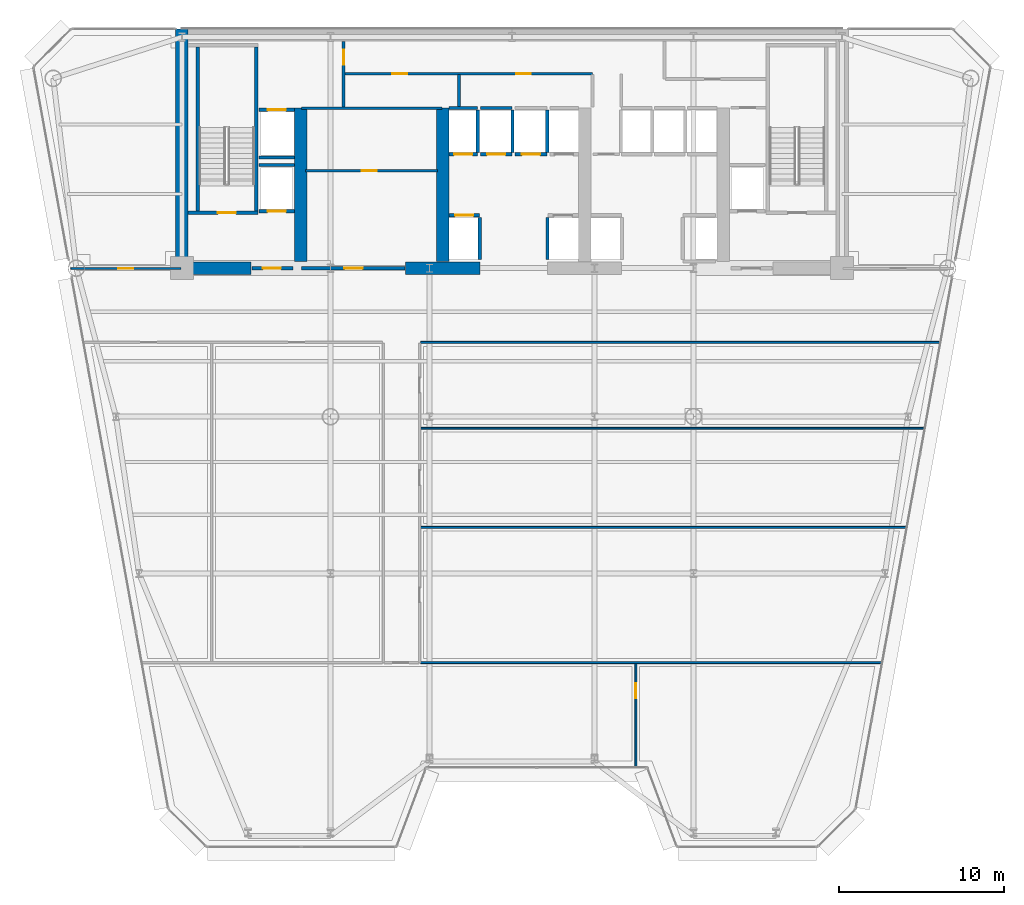
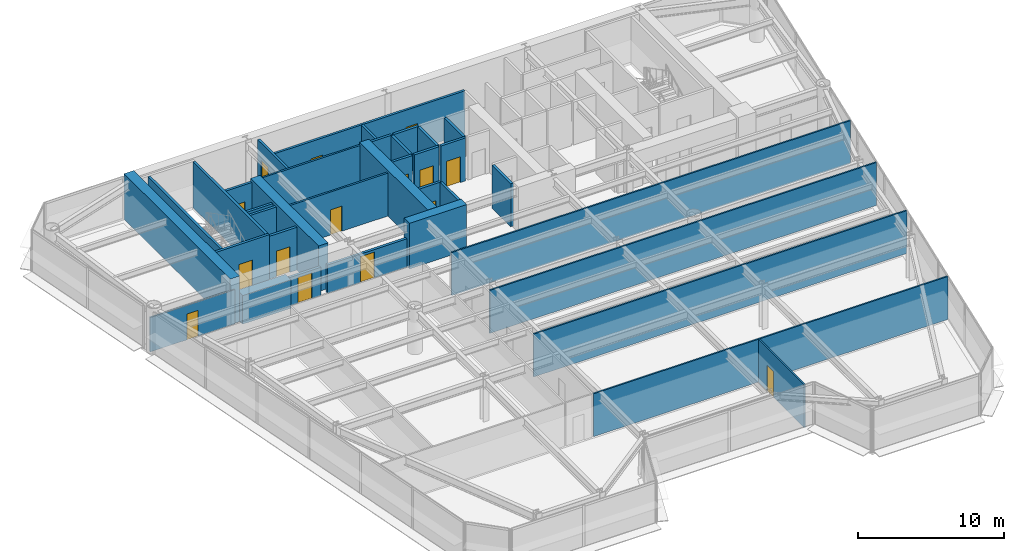
# One storey, part 8 of 14: 36 walls, 15 doors, 15 openings.
"""IFC4 building model written with IfcOpenShell, lengths in metres."""

from ifc_helpers import new_model, si_unit, direction, frame, frame_2d, origin, place, context, subcontext, project, spatial, rectangle, extrude, source, transform, mapped, material, layer, layer_set, type_object, element, fill, save


model = new_model("IFC4")

# Units and contexts
model_context = context("Model", 3, precision=1e-05, world=origin(), true_north=direction((0.0, 1.0)))
body_context = subcontext(model_context, "Body", "Model", "MODEL_VIEW")
ifc_project = project(units=[si_unit("LENGTHUNIT", "METRE"), si_unit("AREAUNIT", "SQUARE_METRE"), si_unit("VOLUMEUNIT", "CUBIC_METRE"), si_unit("PLANEANGLEUNIT", "RADIAN"), si_unit("MASSUNIT", "GRAM", prefix="KILO")], contexts=[model_context])

# Site, building, storey
site_placement = place(None, origin())
site = spatial("IfcSite", under=ifc_project, at=site_placement, CompositionType="ELEMENT")
building_placement = place(site_placement, origin())
building = spatial("IfcBuilding", under=site, at=building_placement, Name="Vaeldorn Concourse Tower", CompositionType="ELEMENT")
storey_placement = place(building_placement, frame((0.0, 0.0, 122.39990234375)))
storey = spatial("IfcBuildingStorey", under=building, at=storey_placement, Name="L31", CompositionType="ELEMENT", Elevation=122.39990234375)

# Walls
ifc_material_1 = material(Name="Concrete C60/75", Category="concrete")
ifc_layer_1 = layer(ifc_material_1, 0.75)
ifc_layer_set_1 = layer_set([ifc_layer_1], Name="Concrete C60/75")
wall_type_1 = type_object("IfcWallType", Name="WL-CORE-750", PredefinedType="SHEAR", material=ifc_layer_set_1)
wall_1_placement = place(storey_placement, frame((14.0, 36.5, 0.0), z_axis=(0.0, 0.0, 1.0), x_axis=(0.0, 1.0, 0.0)))
element("IfcWall", 1, at=wall_1_placement, inside=storey, type_object=wall_type_1, Name="Rear Core Shear Wall L31 W1", PredefinedType="SHEAR", context=body_context, shape_type="SweptSolid", body=[
    extrude(rectangle(XDim=14.5, YDim=0.75, at=frame_2d((7.25, 0.0))), origin(), (0.0, 0.0, 1.0), 3.800048828125),
])
wall_2_placement = place(storey_placement, frame((14.39501953125, 36.5, 0.0), z_axis=(0.0, 0.0, 1.0), x_axis=(1.0, 0.0, 0.0)))
element("IfcWall", 2, at=wall_2_placement, inside=storey, type_object=wall_type_1, Name="Rear Core Shear Wall L31 S1", PredefinedType="SHEAR", context=body_context, shape_type="SweptSolid", body=[
    extrude(rectangle(XDim=3.804931640625, YDim=0.75, at=frame_2d((1.90234375, 0.0))), origin(), (0.0, 0.0, 1.0), 2.380126953125),
])
wall_3_placement = place(storey_placement, frame((27.550048828125, 36.5, 0.0), z_axis=(0.0, 0.0, 1.0), x_axis=(1.0, 0.0, 0.0)))
element("IfcWall", 3, at=wall_3_placement, inside=storey, type_object=wall_type_1, Name="Rear Core Shear Wall L31 S2", PredefinedType="SHEAR", context=body_context, shape_type="SweptSolid", body=[
    extrude(rectangle(XDim=4.5, YDim=0.75, at=frame_2d((2.25, 0.0))), origin(), (0.0, 0.0, 1.0), 3.800048828125),
])
for number, where, z_axis, x_axis, name in (
    (4, (21.199951171875, 36.89501953125, 0.0), (0.0, 0.0, 1.0), (0.0, 1.0, 0.0), "Rear Core Shear Wall L31 M1"),
    (5, (29.800048828125, 36.89501953125, 0.0), (0.0, 0.0, 1.0), (0.0, 1.0, 0.0), "Rear Core Shear Wall L31 M2"),
):
    element("IfcWall", number, at=place(storey_placement, frame(where, z_axis=z_axis, x_axis=x_axis)), inside=storey, type_object=wall_type_1, Name=name, PredefinedType="SHEAR", context=body_context, shape_type="SweptSolid", body=[
        extrude(rectangle(XDim=9.304931640625, YDim=0.75, at=frame_2d((4.65234375, 0.0))), origin(), (0.0, 0.0, 1.0), 3.800048828125),
    ])
ifc_material_2 = material(Name="Gypsum Board Partition", Category="gypsum")
ifc_layer_2 = layer(ifc_material_2, 0.1201171875)
ifc_layer_set_2 = layer_set([ifc_layer_2], Name="Gypsum Board Partition")
wall_type_2 = type_object("IfcWallType", Name="WL-PART-120", PredefinedType="PARTITIONING", material=ifc_layer_set_2)
wall_4_placement = place(storey_placement, frame((28.4599609375, 32.0, 0.0), z_axis=(0.0, 0.0, 1.0), x_axis=(1.0, 0.0, 0.0)))
element("IfcWall", 6, at=wall_4_placement, inside=storey, type_object=wall_type_2, Name="Interior Wall PW-L31-C2SE", PredefinedType="PARTITIONING", context=body_context, shape_type="SweptSolid", body=[
    extrude(rectangle(XDim=31.462646484375, YDim=0.1201171875, at=frame_2d((15.7314453125, 0.0))), origin(), (0.0, 0.0, 1.0), 3.580078125),
])

# Wall, opening, door
wall_5_placement = place(storey_placement, frame((7.26806640625, 36.47998046875, 0.0), z_axis=(0.0, 0.0, 1.0), x_axis=(1.0, 0.0, 0.0)))
wall_5 = element("IfcWall", 7, at=wall_5_placement, inside=storey, type_object=wall_type_2, Name="Interior Wall PW-L31-NWS", PredefinedType="PARTITIONING", context=body_context, shape_type="SweptSolid", body=[
    extrude(rectangle(XDim=6.671875, YDim=0.1201171875, at=frame_2d((3.3359375, 0.0))), origin(), (0.0, 0.0, 1.0), 2.8701171875),
])
opening_1_placement = place(wall_5_placement, frame((2.885986328125, 0.0, 0.0)))
opening_1 = element("IfcOpeningElement", 8, at=opening_1_placement, cuts=wall_5, Name="Opening D-03", PredefinedType="OPENING", context=body_context, shape_type="SweptSolid", body=[
    extrude(rectangle(XDim=0.89990234375, YDim=2.14990234375, at=frame_2d((0.449951171875, 1.074951171875))), frame((0.0, 0.070068359375, 0.0), z_axis=(0.0, -1.0, 0.0), x_axis=(1.0, 0.0, 0.0)), (0.0, 0.0, 1.0), 0.14013671875),
])
ifc_material_3 = material(Name="Acoustic Bronze-Framed Glass Door", Category="glass")
door_type_1 = type_object("IfcDoorType", Name="DR-INT-900", OperationType="NOTDEFINED", PredefinedType="DOOR", material=ifc_material_3)
shared_shape_1 = source(origin(), body_context, "Body", "SweptSolid", [
    extrude(rectangle(XDim=0.89990234375, YDim=2.14990234375, at=frame_2d((0.449951171875, 1.074951171875))), frame((0.0, 0.02490234375, 0.0), z_axis=(0.0, -1.0, 0.0), x_axis=(1.0, 0.0, 0.0)), (0.0, 0.0, 1.0), 0.050048828125),
])
door_1_placement = place(opening_1_placement, origin())
door_1 = element("IfcDoor", 9, at=door_1_placement, inside=storey, type_object=door_type_1, Name="Interior Door DR-L31-NWC", OperationType="SINGLE_SWING_LEFT", OverallHeight=2.14990234375, OverallWidth=0.89990234375, PredefinedType="DOOR", context=body_context, shape_type="MappedRepresentation", body=[
    mapped(shared_shape_1, transform((0.0, 0.0, 0.0), scale=1.0)),
])
fill(opening_1, door_1)

# Wall
wall_6_placement = place(storey_placement, frame((28.4599609375, 12.60009765625, 0.0), z_axis=(0.0, 0.0, 1.0), x_axis=(1.0, 0.0, 0.0)))
element("IfcWall", 10, at=wall_6_placement, inside=storey, type_object=wall_type_2, Name="Interior Wall PW-L31-S2EL", PredefinedType="PARTITIONING", context=body_context, shape_type="SweptSolid", body=[
    extrude(rectangle(XDim=27.934326171875, YDim=0.1201171875, at=frame_2d((13.96728515625, 0.0))), origin(), (0.0, 0.0, 1.0), 3.580078125),
])

# Wall, opening, door
wall_7_placement = place(storey_placement, frame((41.5, 6.2744140625, 0.0), z_axis=(0.0, 0.0, 1.0), x_axis=(0.0, 1.0, 0.0)))
wall_7 = element("IfcWall", 11, at=wall_7_placement, inside=storey, type_object=wall_type_2, Name="Interior Wall PW-L31-Z2SFX1", PredefinedType="PARTITIONING", context=body_context, shape_type="SweptSolid", body=[
    extrude(rectangle(XDim=6.265625, YDim=0.1201171875, at=frame_2d((3.1328125, 0.0))), origin(), (0.0, 0.0, 1.0), 3.580078125),
])
opening_2_placement = place(wall_7_placement, frame((4.1650390625, 0.0, 0.0)))
opening_2 = element("IfcOpeningElement", 12, at=opening_2_placement, cuts=wall_7, Name="Opening D-03", PredefinedType="OPENING", context=body_context, shape_type="SweptSolid", body=[
    extrude(rectangle(XDim=0.89990234375, YDim=2.14990234375, at=frame_2d((0.449951171875, 1.074951171875))), frame((0.0, 0.070068359375, 0.0), z_axis=(0.0, -1.0, 0.0), x_axis=(1.0, 0.0, 0.0)), (0.0, 0.0, 1.0), 0.14013671875),
])
door_2_placement = place(opening_2_placement, origin())
door_2 = element("IfcDoor", 13, at=door_2_placement, inside=storey, type_object=door_type_1, Name="Interior Door DR-L31-Z2SFX1", OperationType="SINGLE_SWING_RIGHT", OverallHeight=2.14990234375, OverallWidth=0.89990234375, PredefinedType="DOOR", context=body_context, shape_type="MappedRepresentation", body=[
    mapped(shared_shape_1, transform((0.0, 0.0, 0.0), scale=1.0)),
])
fill(opening_2, door_2)

# Walls
wall_8_placement = place(storey_placement, frame((28.4599609375, 20.800048828125, 0.0), z_axis=(0.0, 0.0, 1.0), x_axis=(1.0, 0.0, 0.0)))
element("IfcWall", 14, at=wall_8_placement, inside=storey, type_object=wall_type_2, Name="Interior Wall PW-L31-Z2EY1", PredefinedType="PARTITIONING", context=body_context, shape_type="SweptSolid", body=[
    extrude(rectangle(XDim=29.425537109375, YDim=0.1201171875, at=frame_2d((14.712890625, 0.0))), origin(), (0.0, 0.0, 1.0), 3.580078125),
])
wall_9_placement = place(storey_placement, frame((28.4599609375, 26.800048828125, 0.0), z_axis=(0.0, 0.0, 1.0), x_axis=(1.0, 0.0, 0.0)))
element("IfcWall", 15, at=wall_9_placement, inside=storey, type_object=wall_type_2, Name="Interior Wall PW-L31-Z2EY2", PredefinedType="PARTITIONING", context=body_context, shape_type="SweptSolid", body=[
    extrude(rectangle(XDim=30.516845703125, YDim=0.1201171875, at=frame_2d((15.25830078125, 0.0))), origin(), (0.0, 0.0, 1.0), 3.580078125),
])
ifc_layer_3 = layer(ifc_material_2, 0.14990234375)
ifc_layer_set_3 = layer_set([ifc_layer_3], Name="Gypsum Board Partition")
wall_type_3 = type_object("IfcWallType", Name="WL-PART-150", PredefinedType="PARTITIONING", material=ifc_layer_set_3)
wall_10_placement = place(storey_placement, frame((21.25, 46.199951171875, 0.0), z_axis=(0.0, 0.0, 1.0), x_axis=(1.0, 0.0, 0.0)))
element("IfcWall", 16, at=wall_10_placement, inside=storey, type_object=wall_type_3, Name="Interior Wall CW-L31-R1N", PredefinedType="PARTITIONING", context=body_context, shape_type="SweptSolid", body=[
    extrude(rectangle(XDim=8.5, YDim=0.14990234375, at=frame_2d((4.25, 0.0))), origin(), (0.0, 0.0, 1.0), 3.580078125),
])

# Wall, opening, door
wall_11_placement = place(storey_placement, frame((21.5, 42.39990234375, 0.0), z_axis=(0.0, 0.0, 1.0), x_axis=(1.0, 0.0, 0.0)))
wall_11 = element("IfcWall", 17, at=wall_11_placement, inside=storey, type_object=wall_type_3, Name="Interior Wall CW-L31-R1M", PredefinedType="PARTITIONING", context=body_context, shape_type="SweptSolid", body=[
    extrude(rectangle(XDim=8.0, YDim=0.14990234375, at=frame_2d((4.0, 0.0))), origin(), (0.0, 0.0, 1.0), 3.580078125),
])
opening_3_placement = place(wall_11_placement, frame((3.39990234375, 0.0, 0.0)))
opening_3 = element("IfcOpeningElement", 18, at=opening_3_placement, cuts=wall_11, Name="Opening D-02", PredefinedType="OPENING", context=body_context, shape_type="SweptSolid", body=[
    extrude(rectangle(XDim=0.89990234375, YDim=2.10009765625, at=frame_2d((0.449951171875, 1.050048828125))), frame((0.0, 0.0849609375, 0.0), z_axis=(0.0, -1.0, 0.0), x_axis=(1.0, 0.0, 0.0)), (0.0, 0.0, 1.0), 0.169921875),
])
ifc_material_4 = material(Name="Fire-Rated Timber Leaf", Category="wood")
door_type_2 = type_object("IfcDoorType", Name="DR-FD30-900", OperationType="NOTDEFINED", PredefinedType="DOOR", material=ifc_material_4)
shared_shape_2 = source(origin(), body_context, "Body", "SweptSolid", [
    extrude(rectangle(XDim=0.89990234375, YDim=2.10009765625, at=frame_2d((0.449951171875, 1.050048828125))), frame((0.0, 0.02490234375, 0.0), z_axis=(0.0, -1.0, 0.0), x_axis=(1.0, 0.0, 0.0)), (0.0, 0.0, 1.0), 0.050048828125),
])
door_3_placement = place(opening_3_placement, origin())
door_3 = element("IfcDoor", 19, at=door_3_placement, inside=storey, type_object=door_type_2, Name="Interior Door DR-L31-R1M", OperationType="SINGLE_SWING_RIGHT", OverallHeight=2.10009765625, OverallWidth=0.89990234375, PredefinedType="DOOR", context=body_context, shape_type="MappedRepresentation", body=[
    mapped(shared_shape_2, transform((0.0, 0.0, 0.0), scale=1.0)),
])
fill(opening_3, door_3)

# Wall, openings, doors
ifc_layer_4 = layer(ifc_material_2, 0.179931640625)
ifc_layer_set_4 = layer_set([ifc_layer_4], Name="Gypsum Board Partition")
wall_type_4 = type_object("IfcWallType", Name="WL-PLUMB-180", PredefinedType="PLUMBINGWALL", material=ifc_layer_set_4)
wall_12_placement = place(storey_placement, frame((23.85009765625, 48.280029296875, 0.0), z_axis=(0.0, 0.0, 1.0), x_axis=(1.0, 0.0, 0.0)))
wall_12 = element("IfcWall", 20, at=wall_12_placement, inside=storey, type_object=wall_type_4, Name="Interior Wall CW-L31-NS2W", PredefinedType="PLUMBINGWALL", context=body_context, shape_type="SweptSolid", body=[
    extrude(rectangle(XDim=15.02978515625, YDim=0.179931640625, at=frame_2d((7.514892578125, 0.0))), origin(), (0.0, 0.0, 1.0), 3.580078125),
])
opening_4_placement = place(wall_12_placement, frame((2.89990234375, 0.0, 0.0)))
opening_4 = element("IfcOpeningElement", 21, at=opening_4_placement, cuts=wall_12, Name="Opening D-03", PredefinedType="OPENING", context=body_context, shape_type="SweptSolid", body=[
    extrude(rectangle(XDim=0.89990234375, YDim=2.14990234375, at=frame_2d((0.449951171875, 1.074951171875))), frame((0.0, 0.10009765625, 0.0), z_axis=(0.0, -1.0, 0.0), x_axis=(1.0, 0.0, 0.0)), (0.0, 0.0, 1.0), 0.199951171875),
])
opening_5_placement = place(wall_12_placement, frame((10.39990234375, 0.0, 0.0)))
opening_5 = element("IfcOpeningElement", 22, at=opening_5_placement, cuts=wall_12, Name="Opening D-03", PredefinedType="OPENING", context=body_context, shape_type="SweptSolid", body=[
    extrude(rectangle(XDim=0.89990234375, YDim=2.14990234375, at=frame_2d((0.449951171875, 1.074951171875))), frame((0.0, 0.10009765625, 0.0), z_axis=(0.0, -1.0, 0.0), x_axis=(1.0, 0.0, 0.0)), (0.0, 0.0, 1.0), 0.199951171875),
])
door_4_placement = place(opening_4_placement, origin())
door_4 = element("IfcDoor", 23, at=door_4_placement, inside=storey, type_object=door_type_1, Name="Interior Door DR-L31-CS2", OperationType="SINGLE_SWING_RIGHT", OverallHeight=2.14990234375, OverallWidth=0.89990234375, PredefinedType="DOOR", context=body_context, shape_type="MappedRepresentation", body=[
    mapped(shared_shape_1, transform((0.0, 0.0, 0.0), scale=1.0)),
])
fill(opening_4, door_4)
door_5_placement = place(opening_5_placement, origin())
door_5 = element("IfcDoor", 24, at=door_5_placement, inside=storey, type_object=door_type_1, Name="Interior Door DR-L31-CS3", OperationType="SINGLE_SWING_LEFT", OverallHeight=2.14990234375, OverallWidth=0.89990234375, PredefinedType="DOOR", context=body_context, shape_type="MappedRepresentation", body=[
    mapped(shared_shape_1, transform((0.0, 0.0, 0.0), scale=1.0)),
])
fill(opening_5, door_5)

# Wall, opening, door
wall_13_placement = place(storey_placement, frame((23.800048828125, 46.280029296875, 0.0), z_axis=(0.0, 0.0, 1.0), x_axis=(0.0, 1.0, 0.0)))
wall_13 = element("IfcWall", 25, at=wall_13_placement, inside=storey, type_object=wall_type_4, Name="Interior Wall CW-L31-SDIV1", PredefinedType="PLUMBINGWALL", context=body_context, shape_type="SweptSolid", body=[
    extrude(rectangle(XDim=3.949951171875, YDim=0.179931640625, at=frame_2d((1.97509765625, 0.0))), origin(), (0.0, 0.0, 1.0), 3.580078125),
])
opening_6_placement = place(wall_13_placement, frame((2.56005859375, 0.0, 0.0)))
opening_6 = element("IfcOpeningElement", 26, at=opening_6_placement, cuts=wall_13, Name="Opening D-03", PredefinedType="OPENING", context=body_context, shape_type="SweptSolid", body=[
    extrude(rectangle(XDim=0.89990234375, YDim=2.14990234375, at=frame_2d((0.449951171875, 1.074951171875))), frame((0.0, 0.10009765625, 0.0), z_axis=(0.0, -1.0, 0.0), x_axis=(1.0, 0.0, 0.0)), (0.0, 0.0, 1.0), 0.199951171875),
])
door_6_placement = place(opening_6_placement, origin())
door_6 = element("IfcDoor", 27, at=door_6_placement, inside=storey, type_object=door_type_1, Name="Interior Door DR-L31-CS1", OperationType="SINGLE_SWING_LEFT", OverallHeight=2.14990234375, OverallWidth=0.89990234375, PredefinedType="DOOR", context=body_context, shape_type="MappedRepresentation", body=[
    mapped(shared_shape_1, transform((0.0, 0.0, 0.0), scale=1.0)),
])
fill(opening_6, door_6)

# Wall
wall_14_placement = place(storey_placement, frame((30.800048828125, 46.280029296875, 0.0), z_axis=(0.0, 0.0, 1.0), x_axis=(0.0, 1.0, 0.0)))
element("IfcWall", 28, at=wall_14_placement, inside=storey, type_object=wall_type_4, Name="Interior Wall CW-L31-SDIV2", PredefinedType="PLUMBINGWALL", context=body_context, shape_type="SweptSolid", body=[
    extrude(rectangle(XDim=1.93994140625, YDim=0.179931640625, at=frame_2d((0.969970703125, 0.0))), origin(), (0.0, 0.0, 1.0), 3.580078125),
])

# Wall, opening, door
ifc_material_5 = material(Name="Concrete C50/60", Category="concrete")
ifc_layer_5 = layer(ifc_material_5, 0.199951171875)
ifc_layer_set_5 = layer_set([ifc_layer_5], Name="Concrete C50/60")
wall_type_5 = type_object("IfcWallType", Name="WL-SHAFT-200", PredefinedType="SOLIDWALL", material=ifc_layer_set_5)
wall_15_placement = place(storey_placement, frame((14.375, 39.85009765625, 0.0), z_axis=(0.0, 0.0, 1.0), x_axis=(1.0, 0.0, 0.0)))
wall_15 = element("IfcWall", 29, at=wall_15_placement, inside=storey, type_object=wall_type_5, Name="Stair Shaft Wall CW-L31-ST-1-S", PredefinedType="SOLIDWALL", context=body_context, shape_type="SweptSolid", body=[
    extrude(rectangle(XDim=4.22509765625, YDim=0.199951171875, at=frame_2d((2.112548828125, 0.0))), origin(), (0.0, 0.0, 1.0), 3.800048828125),
])
opening_7_placement = place(wall_15_placement, frame((1.800048828125, 0.0, 0.0)))
opening_7 = element("IfcOpeningElement", 30, at=opening_7_placement, cuts=wall_15, Name="Opening D-01", PredefinedType="OPENING", context=body_context, shape_type="SweptSolid", body=[
    extrude(rectangle(XDim=1.10009765625, YDim=2.14990234375, at=frame_2d((0.550048828125, 1.074951171875))), frame((0.0, 0.10986328125, 0.0), z_axis=(0.0, -1.0, 0.0), x_axis=(1.0, 0.0, 0.0)), (0.0, 0.0, 1.0), 0.219970703125),
])
ifc_material_6 = material(Name="Fire-Rated Timber and Steel Leaf", Category="steel")
door_type_3 = type_object("IfcDoorType", Name="DR-FD60-1100", OperationType="NOTDEFINED", PredefinedType="DOOR", material=ifc_material_6)
shared_shape_3 = source(origin(), body_context, "Body", "SweptSolid", [
    extrude(rectangle(XDim=1.10009765625, YDim=2.14990234375, at=frame_2d((0.550048828125, 1.074951171875))), frame((0.0, 0.02490234375, 0.0), z_axis=(0.0, -1.0, 0.0), x_axis=(1.0, 0.0, 0.0)), (0.0, 0.0, 1.0), 0.050048828125),
])
door_7_placement = place(opening_7_placement, origin())
door_7 = element("IfcDoor", 31, at=door_7_placement, inside=storey, type_object=door_type_3, Name="Interior Door DR-L31-ST-1", OperationType="SINGLE_SWING_LEFT", OverallHeight=2.14990234375, OverallWidth=1.10009765625, PredefinedType="DOOR", context=body_context, shape_type="MappedRepresentation", body=[
    mapped(shared_shape_3, transform((0.0, 0.0, 0.0), scale=1.0)),
])
fill(opening_7, door_7)

# Walls
for number, where, z_axis, x_axis, name in (
    (32, (14.949951171875, 39.9599609375, 0.0), (0.0, 0.0, 1.0), (0.0, 1.0, 0.0), "Stair Shaft Wall CW-L31-ST-1-W"),
    (33, (18.5, 39.9599609375, 0.0), (0.0, 0.0, 1.0), (0.0, 1.0, 0.0), "Stair Shaft Wall CW-L31-ST-1-E"),
):
    element("IfcWall", number, at=place(storey_placement, frame(where, z_axis=z_axis, x_axis=x_axis)), inside=storey, type_object=wall_type_5, Name=name, PredefinedType="SOLIDWALL", context=body_context, shape_type="SweptSolid", body=[
        extrude(rectangle(XDim=9.929931640625, YDim=0.199951171875, at=frame_2d((4.96484375, 0.0))), origin(), (0.0, 0.0, 1.0), 3.800048828125),
    ])

# Wall, opening, door
wall_16_placement = place(storey_placement, frame((18.25, 36.5, 0.0), z_axis=(0.0, 0.0, 1.0), x_axis=(1.0, 0.0, 0.0)))
wall_16 = element("IfcWall", 34, at=wall_16_placement, inside=storey, type_object=wall_type_5, Name="Interior Wall CW-L31-FF1S", PredefinedType="SOLIDWALL", context=body_context, shape_type="SweptSolid", body=[
    extrude(rectangle(XDim=2.469970703125, YDim=0.199951171875, at=frame_2d((1.23486328125, 0.0))), origin(), (0.0, 0.0, 1.0), 2.3701171875),
])
opening_8_placement = place(wall_16_placement, frame((0.64990234375, 0.0, 0.0)))
opening_8 = element("IfcOpeningElement", 35, at=opening_8_placement, cuts=wall_16, Name="Opening D-01", PredefinedType="OPENING", context=body_context, shape_type="SweptSolid", body=[
    extrude(rectangle(XDim=1.10009765625, YDim=2.14990234375, at=frame_2d((0.550048828125, 1.074951171875))), frame((0.0, 0.10986328125, 0.0), z_axis=(0.0, -1.0, 0.0), x_axis=(1.0, 0.0, 0.0)), (0.0, 0.0, 1.0), 0.219970703125),
])
door_8_placement = place(opening_8_placement, origin())
door_8 = element("IfcDoor", 36, at=door_8_placement, inside=storey, type_object=door_type_3, Name="Interior Door DR-L31-FF1E", OperationType="SINGLE_SWING_RIGHT", OverallHeight=2.14990234375, OverallWidth=1.10009765625, PredefinedType="DOOR", context=body_context, shape_type="MappedRepresentation", body=[
    mapped(shared_shape_3, transform((0.0, 0.0, 0.0), scale=1.0)),
])
fill(opening_8, door_8)

wall_17_placement = place(storey_placement, frame((30.18505859375, 39.699951171875, 0.0), z_axis=(0.0, 0.0, 1.0), x_axis=(1.0, 0.0, 0.0)))
wall_17 = element("IfcWall", 37, at=wall_17_placement, inside=storey, type_object=wall_type_5, Name="Interior Wall CW-L31-LF-LF-07", PredefinedType="SOLIDWALL", context=body_context, shape_type="SweptSolid", body=[
    extrude(rectangle(XDim=1.844970703125, YDim=0.199951171875, at=frame_2d((0.92236328125, 0.0))), origin(), (0.0, 0.0, 1.0), 3.580078125),
])
opening_9_placement = place(wall_17_placement, frame((0.373046875, 0.0, 0.0)))
opening_9 = element("IfcOpeningElement", 38, at=opening_9_placement, cuts=wall_17, Name="Opening LD-1", PredefinedType="OPENING", context=body_context, shape_type="SweptSolid", body=[
    extrude(rectangle(XDim=1.10009765625, YDim=2.14990234375, at=frame_2d((0.550048828125, 1.074951171875))), frame((0.0, 0.10986328125, 0.0), z_axis=(0.0, -1.0, 0.0), x_axis=(1.0, 0.0, 0.0)), (0.0, 0.0, 1.0), 0.219970703125),
])
ifc_material_7 = material(Name="Anodised Bronze Aluminium", Category="aluminium")
door_type_4 = type_object("IfcDoorType", Name="DR-LIFT-SLIDE-1100", OperationType="DOUBLE_DOOR_SLIDING", PredefinedType="DOOR", material=ifc_material_7)
door_9_placement = place(opening_9_placement, origin())
door_9 = element("IfcDoor", 39, at=door_9_placement, inside=storey, type_object=door_type_4, Name="Lift Landing Door LD-L31-LF-07", OperationType="DOUBLE_DOOR_SLIDING", OverallHeight=2.14990234375, OverallWidth=1.10009765625, PredefinedType="DOOR", context=body_context, shape_type="MappedRepresentation", body=[
    mapped(shared_shape_3, transform((0.0, 0.0, 0.0), scale=1.0)),
])
fill(opening_9, door_9)

# Walls
for number, where, z_axis, x_axis, name in (
    (40, (32.050048828125, 37.02001953125, 0.0), (0.0, 0.0, 1.0), (0.0, 1.0, 0.0), "Interior Wall CW-L31-LFE-LF-07"),
    (41, (36.14990234375, 37.02001953125, 0.0), (0.0, 0.0, 1.0), (0.0, 1.0, 0.0), "Interior Wall CW-L31-LFW-LF-08"),
):
    element("IfcWall", number, at=place(storey_placement, frame(where, z_axis=z_axis, x_axis=x_axis)), inside=storey, type_object=wall_type_5, Name=name, PredefinedType="SOLIDWALL", context=body_context, shape_type="SweptSolid", body=[
        extrude(rectangle(XDim=2.56005859375, YDim=0.199951171875, at=frame_2d((1.280029296875, 0.0))), origin(), (0.0, 0.0, 1.0), 3.580078125),
    ])

# Wall, opening, door
wall_18_placement = place(storey_placement, frame((30.18505859375, 43.39990234375, 0.0), z_axis=(0.0, 0.0, 1.0), x_axis=(1.0, 0.0, 0.0)))
wall_18 = element("IfcWall", 42, at=wall_18_placement, inside=storey, type_object=wall_type_5, Name="Interior Wall CW-L31-LF-LF-09", PredefinedType="SOLIDWALL", context=body_context, shape_type="SweptSolid", body=[
    extrude(rectangle(XDim=1.724853515625, YDim=0.199951171875, at=frame_2d((0.8623046875, 0.0))), origin(), (0.0, 0.0, 1.0), 3.580078125),
])
opening_10_placement = place(wall_18_placement, frame((0.31298828125, 0.0, 0.0)))
opening_10 = element("IfcOpeningElement", 43, at=opening_10_placement, cuts=wall_18, Name="Opening LD-1", PredefinedType="OPENING", context=body_context, shape_type="SweptSolid", body=[
    extrude(rectangle(XDim=1.10009765625, YDim=2.14990234375, at=frame_2d((0.550048828125, 1.074951171875))), frame((0.0, 0.10986328125, 0.0), z_axis=(0.0, -1.0, 0.0), x_axis=(1.0, 0.0, 0.0)), (0.0, 0.0, 1.0), 0.219970703125),
])
door_10_placement = place(opening_10_placement, origin())
door_10 = element("IfcDoor", 44, at=door_10_placement, inside=storey, type_object=door_type_4, Name="Lift Landing Door LD-L31-LF-09", OperationType="DOUBLE_DOOR_SLIDING", OverallHeight=2.14990234375, OverallWidth=1.10009765625, PredefinedType="DOOR", context=body_context, shape_type="MappedRepresentation", body=[
    mapped(shared_shape_3, transform((0.0, 0.0, 0.0), scale=1.0)),
])
fill(opening_10, door_10)

# Walls
wall_19_placement = place(storey_placement, frame((30.18505859375, 46.199951171875, 0.0), z_axis=(0.0, 0.0, 1.0), x_axis=(1.0, 0.0, 0.0)))
element("IfcWall", 45, at=wall_19_placement, inside=storey, type_object=wall_type_5, Name="Interior Wall CW-L31-LFB-LF-09", PredefinedType="SOLIDWALL", context=body_context, shape_type="SweptSolid", body=[
    extrude(rectangle(XDim=1.724853515625, YDim=0.199951171875, at=frame_2d((0.8623046875, 0.0))), origin(), (0.0, 0.0, 1.0), 3.580078125),
])
wall_20_placement = place(storey_placement, frame((31.929931640625, 43.52001953125, 0.0), z_axis=(0.0, 0.0, 1.0), x_axis=(0.0, 1.0, 0.0)))
element("IfcWall", 46, at=wall_20_placement, inside=storey, type_object=wall_type_5, Name="Interior Wall CW-L31-LFE-LF-09", PredefinedType="SOLIDWALL", context=body_context, shape_type="SweptSolid", body=[
    extrude(rectangle(XDim=2.56005859375, YDim=0.199951171875, at=frame_2d((1.280029296875, 0.0))), origin(), (0.0, 0.0, 1.0), 3.580078125),
])

# Wall, opening, door
wall_21_placement = place(storey_placement, frame((32.090087890625, 43.39990234375, 0.0), z_axis=(0.0, 0.0, 1.0), x_axis=(1.0, 0.0, 0.0)))
wall_21 = element("IfcWall", 47, at=wall_21_placement, inside=storey, type_object=wall_type_5, Name="Interior Wall CW-L31-LF-LF-10", PredefinedType="SOLIDWALL", context=body_context, shape_type="SweptSolid", body=[
    extrude(rectangle(XDim=1.919921875, YDim=0.199951171875, at=frame_2d((0.9599609375, 0.0))), origin(), (0.0, 0.0, 1.0), 3.580078125),
])
opening_11_placement = place(wall_21_placement, frame((0.409912109375, 0.0, 0.0)))
opening_11 = element("IfcOpeningElement", 48, at=opening_11_placement, cuts=wall_21, Name="Opening LD-1", PredefinedType="OPENING", context=body_context, shape_type="SweptSolid", body=[
    extrude(rectangle(XDim=1.10009765625, YDim=2.14990234375, at=frame_2d((0.550048828125, 1.074951171875))), frame((0.0, 0.10986328125, 0.0), z_axis=(0.0, -1.0, 0.0), x_axis=(1.0, 0.0, 0.0)), (0.0, 0.0, 1.0), 0.219970703125),
])
door_11_placement = place(opening_11_placement, origin())
door_11 = element("IfcDoor", 49, at=door_11_placement, inside=storey, type_object=door_type_4, Name="Lift Landing Door LD-L31-LF-10", OperationType="DOUBLE_DOOR_SLIDING", OverallHeight=2.14990234375, OverallWidth=1.10009765625, PredefinedType="DOOR", context=body_context, shape_type="MappedRepresentation", body=[
    mapped(shared_shape_3, transform((0.0, 0.0, 0.0), scale=1.0)),
])
fill(opening_11, door_11)

# Walls
wall_22_placement = place(storey_placement, frame((32.090087890625, 46.199951171875, 0.0), z_axis=(0.0, 0.0, 1.0), x_axis=(1.0, 0.0, 0.0)))
element("IfcWall", 50, at=wall_22_placement, inside=storey, type_object=wall_type_5, Name="Interior Wall CW-L31-LFB-LF-10", PredefinedType="SOLIDWALL", context=body_context, shape_type="SweptSolid", body=[
    extrude(rectangle(XDim=1.919921875, YDim=0.199951171875, at=frame_2d((0.9599609375, 0.0))), origin(), (0.0, 0.0, 1.0), 3.580078125),
])
wall_23_placement = place(storey_placement, frame((34.030029296875, 43.52001953125, 0.0), z_axis=(0.0, 0.0, 1.0), x_axis=(0.0, 1.0, 0.0)))
element("IfcWall", 51, at=wall_23_placement, inside=storey, type_object=wall_type_5, Name="Interior Wall CW-L31-LFE-LF-10", PredefinedType="SOLIDWALL", context=body_context, shape_type="SweptSolid", body=[
    extrude(rectangle(XDim=2.56005859375, YDim=0.199951171875, at=frame_2d((1.280029296875, 0.0))), origin(), (0.0, 0.0, 1.0), 3.580078125),
])

# Wall, opening, door
wall_24_placement = place(storey_placement, frame((34.18994140625, 43.39990234375, 0.0), z_axis=(0.0, 0.0, 1.0), x_axis=(1.0, 0.0, 0.0)))
wall_24 = element("IfcWall", 52, at=wall_24_placement, inside=storey, type_object=wall_type_5, Name="Interior Wall CW-L31-LF-LF-11", PredefinedType="SOLIDWALL", context=body_context, shape_type="SweptSolid", body=[
    extrude(rectangle(XDim=1.920166015625, YDim=0.199951171875, at=frame_2d((0.9599609375, 0.0))), origin(), (0.0, 0.0, 1.0), 3.580078125),
])
opening_12_placement = place(wall_24_placement, frame((0.409912109375, 0.0, 0.0)))
opening_12 = element("IfcOpeningElement", 53, at=opening_12_placement, cuts=wall_24, Name="Opening LD-1", PredefinedType="OPENING", context=body_context, shape_type="SweptSolid", body=[
    extrude(rectangle(XDim=1.10009765625, YDim=2.14990234375, at=frame_2d((0.550048828125, 1.074951171875))), frame((0.0, 0.10986328125, 0.0), z_axis=(0.0, -1.0, 0.0), x_axis=(1.0, 0.0, 0.0)), (0.0, 0.0, 1.0), 0.219970703125),
])
door_12_placement = place(opening_12_placement, origin())
door_12 = element("IfcDoor", 54, at=door_12_placement, inside=storey, type_object=door_type_4, Name="Lift Landing Door LD-L31-LF-11", OperationType="DOUBLE_DOOR_SLIDING", OverallHeight=2.14990234375, OverallWidth=1.10009765625, PredefinedType="DOOR", context=body_context, shape_type="MappedRepresentation", body=[
    mapped(shared_shape_3, transform((0.0, 0.0, 0.0), scale=1.0)),
])
fill(opening_12, door_12)

# Wall
wall_25_placement = place(storey_placement, frame((36.1298828125, 43.52001953125, 0.0), z_axis=(0.0, 0.0, 1.0), x_axis=(0.0, 1.0, 0.0)))
element("IfcWall", 55, at=wall_25_placement, inside=storey, type_object=wall_type_5, Name="Interior Wall CW-L31-LFE-LF-11", PredefinedType="SOLIDWALL", context=body_context, shape_type="SweptSolid", body=[
    extrude(rectangle(XDim=2.56005859375, YDim=0.199951171875, at=frame_2d((1.280029296875, 0.0))), origin(), (0.0, 0.0, 1.0), 3.580078125),
])

# Wall, opening, door
wall_26_placement = place(storey_placement, frame((18.669921875, 46.10009765625, 0.0), z_axis=(0.0, 0.0, 1.0), x_axis=(1.0, 0.0, 0.0)))
wall_26 = element("IfcWall", 56, at=wall_26_placement, inside=storey, type_object=wall_type_5, Name="Interior Wall CW-L31-LF-LF-SV1", PredefinedType="SOLIDWALL", context=body_context, shape_type="SweptSolid", body=[
    extrude(rectangle(XDim=2.14501953125, YDim=0.199951171875, at=frame_2d((1.072509765625, 0.0))), origin(), (0.0, 0.0, 1.0), 3.580078125),
])
opening_13_placement = place(wall_26_placement, frame((0.52197265625, 0.0, 0.0)))
opening_13 = element("IfcOpeningElement", 57, at=opening_13_placement, cuts=wall_26, Name="Opening LD-1", PredefinedType="OPENING", context=body_context, shape_type="SweptSolid", body=[
    extrude(rectangle(XDim=1.10009765625, YDim=2.14990234375, at=frame_2d((0.550048828125, 1.074951171875))), frame((0.0, 0.10986328125, 0.0), z_axis=(0.0, -1.0, 0.0), x_axis=(1.0, 0.0, 0.0)), (0.0, 0.0, 1.0), 0.219970703125),
])
door_13_placement = place(opening_13_placement, origin())
door_13 = element("IfcDoor", 58, at=door_13_placement, inside=storey, type_object=door_type_4, Name="Lift Landing Door LD-L31-LF-SV1", OperationType="DOUBLE_DOOR_SLIDING", OverallHeight=2.14990234375, OverallWidth=1.10009765625, PredefinedType="DOOR", context=body_context, shape_type="MappedRepresentation", body=[
    mapped(shared_shape_3, transform((0.0, 0.0, 0.0), scale=1.0)),
])
fill(opening_13, door_13)

# Wall
wall_27_placement = place(storey_placement, frame((18.669921875, 43.199951171875, 0.0), z_axis=(0.0, 0.0, 1.0), x_axis=(1.0, 0.0, 0.0)))
element("IfcWall", 59, at=wall_27_placement, inside=storey, type_object=wall_type_5, Name="Interior Wall CW-L31-LFB-LF-SV1", PredefinedType="SOLIDWALL", context=body_context, shape_type="SweptSolid", body=[
    extrude(rectangle(XDim=2.14501953125, YDim=0.199951171875, at=frame_2d((1.072509765625, 0.0))), origin(), (0.0, 0.0, 1.0), 3.580078125),
])

# Wall, opening, door
wall_28_placement = place(storey_placement, frame((18.669921875, 39.949951171875, 0.0), z_axis=(0.0, 0.0, 1.0), x_axis=(1.0, 0.0, 0.0)))
wall_28 = element("IfcWall", 60, at=wall_28_placement, inside=storey, type_object=wall_type_5, Name="Interior Wall CW-L31-LF-LF-FF1", PredefinedType="SOLIDWALL", context=body_context, shape_type="SweptSolid", body=[
    extrude(rectangle(XDim=2.14501953125, YDim=0.199951171875, at=frame_2d((1.072509765625, 0.0))), origin(), (0.0, 0.0, 1.0), 3.580078125),
])
opening_14_placement = place(wall_28_placement, frame((0.52197265625, 0.0, 0.0)))
opening_14 = element("IfcOpeningElement", 61, at=opening_14_placement, cuts=wall_28, Name="Opening LD-1", PredefinedType="OPENING", context=body_context, shape_type="SweptSolid", body=[
    extrude(rectangle(XDim=1.10009765625, YDim=2.14990234375, at=frame_2d((0.550048828125, 1.074951171875))), frame((0.0, 0.10986328125, 0.0), z_axis=(0.0, -1.0, 0.0), x_axis=(1.0, 0.0, 0.0)), (0.0, 0.0, 1.0), 0.219970703125),
])
door_14_placement = place(opening_14_placement, origin())
door_14 = element("IfcDoor", 62, at=door_14_placement, inside=storey, type_object=door_type_4, Name="Lift Landing Door LD-L31-LF-FF1", OperationType="DOUBLE_DOOR_SLIDING", OverallHeight=2.14990234375, OverallWidth=1.10009765625, PredefinedType="DOOR", context=body_context, shape_type="MappedRepresentation", body=[
    mapped(shared_shape_3, transform((0.0, 0.0, 0.0), scale=1.0)),
])
fill(opening_14, door_14)

# Wall
wall_29_placement = place(storey_placement, frame((18.669921875, 42.75, 0.0), z_axis=(0.0, 0.0, 1.0), x_axis=(1.0, 0.0, 0.0)))
element("IfcWall", 63, at=wall_29_placement, inside=storey, type_object=wall_type_5, Name="Interior Wall CW-L31-LFB-LF-FF1", PredefinedType="SOLIDWALL", context=body_context, shape_type="SweptSolid", body=[
    extrude(rectangle(XDim=2.14501953125, YDim=0.199951171875, at=frame_2d((1.072509765625, 0.0))), origin(), (0.0, 0.0, 1.0), 3.580078125),
])

# Wall, opening, door
wall_30_placement = place(storey_placement, frame((21.25, 36.5, 0.0), z_axis=(0.0, 0.0, 1.0), x_axis=(1.0, 0.0, 0.0)))
wall_30 = element("IfcWall", 64, at=wall_30_placement, inside=storey, type_object=wall_type_5, Name="Interior Wall CW-L31-R1S", PredefinedType="SOLIDWALL", context=body_context, shape_type="SweptSolid", body=[
    extrude(rectangle(XDim=6.27001953125, YDim=0.199951171875, at=frame_2d((3.135009765625, 0.0))), origin(), (0.0, 0.0, 1.0), 2.3701171875),
])
opening_15_placement = place(wall_30_placement, frame((2.60009765625, 0.0, 0.0)))
opening_15 = element("IfcOpeningElement", 65, at=opening_15_placement, cuts=wall_30, Name="Opening D-01", PredefinedType="OPENING", context=body_context, shape_type="SweptSolid", body=[
    extrude(rectangle(XDim=1.10009765625, YDim=2.14990234375, at=frame_2d((0.550048828125, 1.074951171875))), frame((0.0, 0.10986328125, 0.0), z_axis=(0.0, -1.0, 0.0), x_axis=(1.0, 0.0, 0.0)), (0.0, 0.0, 1.0), 0.219970703125),
])
door_15_placement = place(opening_15_placement, origin())
door_15 = element("IfcDoor", 66, at=door_15_placement, inside=storey, type_object=door_type_3, Name="Interior Door DR-L31-R1S", OperationType="SINGLE_SWING_LEFT", OverallHeight=2.14990234375, OverallWidth=1.10009765625, PredefinedType="DOOR", context=body_context, shape_type="MappedRepresentation", body=[
    mapped(shared_shape_3, transform((0.0, 0.0, 0.0), scale=1.0)),
])
fill(opening_15, door_15)

save(model, "model.ifc")
